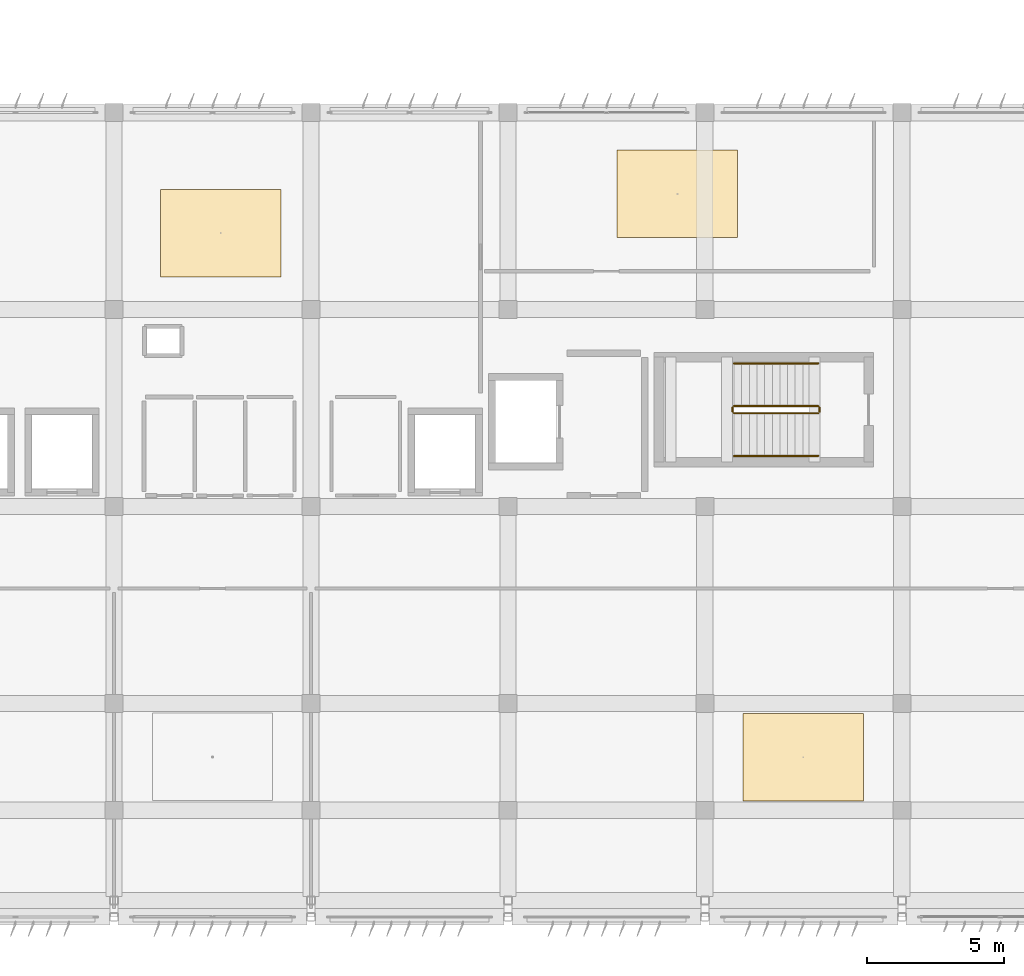
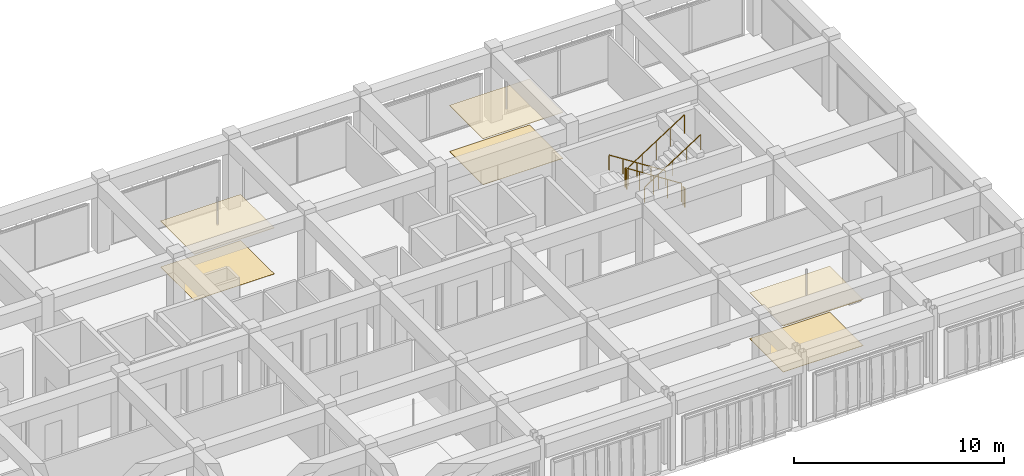
# One storey, part 52 of 53: 6 coverings, 6 railings.
"""IFC4 building model written with IfcOpenShell, lengths in metres."""

from ifc_helpers import new_model, si_unit, direction, frame, origin, origin_2d, place, context, subcontext, project, spatial, rectangle, circle, extrude, material, layer, layer_set, type_object, element, save


model = new_model("IFC4")

# Units and contexts
model_context = context("Model", 3, precision=1e-05, world=origin(), true_north=direction((0.0, 1.0)))
body_context = subcontext(model_context, "Body", "Model", "MODEL_VIEW")
ifc_project = project(units=[si_unit("LENGTHUNIT", "METRE"), si_unit("AREAUNIT", "SQUARE_METRE"), si_unit("VOLUMEUNIT", "CUBIC_METRE"), si_unit("PLANEANGLEUNIT", "RADIAN"), si_unit("MASSUNIT", "GRAM", prefix="KILO")], contexts=[model_context])

# Site, building, storey
site_placement = place(None, origin())
site = spatial("IfcSite", under=ifc_project, at=site_placement, CompositionType="ELEMENT")
building_placement = place(site_placement, origin())
building = spatial("IfcBuilding", under=site, at=building_placement, Name="Kazehaya Institute of Natural Sciences", CompositionType="ELEMENT")
storey_placement = place(building_placement, frame((0.0, 0.0, 33.300048828125)))
storey = spatial("IfcBuildingStorey", under=building, at=storey_placement, Name="L07", CompositionType="ELEMENT", Elevation=33.300048828125)

# Coverings
ifc_material_1 = material(Name="Mineral-fibre acoustic ceiling tile")
ifc_layer_1 = layer(ifc_material_1, 0.02490234375, Name="Mineral-fibre acoustic ceiling tile")
ifc_layer_set_1 = layer_set([ifc_layer_1], Name="Mineral-fibre acoustic ceiling tile")
covering_type_1 = type_object("IfcCoveringType", Name="COV-CEIL-AC", PredefinedType="CEILING", material=ifc_layer_set_1)
for number, where, z_axis, x_axis, name in (
    (1, (108.59228515625, 12.035888671875, 2.66748046875), (0.0, 0.0, 1.0), (1.0, 0.0, 0.0), "L07 Senior Fellow Write-up Office ceiling 66"),
    (2, (87.302001953125, 31.19580078125, 2.66748046875), (0.0, 0.0, 1.0), (1.0, 0.0, 0.0), "L07 Photochemistry Laboratory ceiling 67"),
    (3, (103.989990234375, 32.625, 2.66748046875), (0.0, 0.0, 1.0), (1.0, 0.0, 0.0), "L07 Shared NMR and Optical Instrument Suite ceiling 68"),
):
    element("IfcCovering", number, at=place(storey_placement, frame(where, z_axis=z_axis, x_axis=x_axis)), inside=storey, type_object=covering_type_1, Name=name, PredefinedType="CEILING", context=body_context, shape_type="SweptSolid", body=[
        extrude(rectangle(XDim=4.39990234375, YDim=3.199951171875, at=origin_2d()), origin(), (0.0, 0.0, 1.0), 0.02490234375),
    ])
ifc_material_2 = material(Name="Seamless chemical-resistant epoxy flooring")
ifc_layer_2 = layer(ifc_material_2, 0.014892578125, Name="Seamless chemical-resistant epoxy flooring")
ifc_layer_set_2 = layer_set([ifc_layer_2], Name="Seamless chemical-resistant epoxy flooring")
covering_type_2 = type_object("IfcCoveringType", Name="COV-FLR-EPX", PredefinedType="FLOORING", material=ifc_layer_set_2)
for number, where, z_axis, x_axis, name in (
    (4, (87.302001953125, 31.19580078125, 0.0), (0.0, 0.0, 1.0), (1.0, 0.0, 0.0), "L07 Photochemistry Laboratory finish flooring 67"),
    (5, (103.989990234375, 32.625, 0.0), (0.0, 0.0, 1.0), (1.0, 0.0, 0.0), "L07 Shared NMR and Optical Instrument Suite finish flooring 68"),
):
    element("IfcCovering", number, at=place(storey_placement, frame(where, z_axis=z_axis, x_axis=x_axis)), inside=storey, type_object=covering_type_2, Name=name, PredefinedType="FLOORING", context=body_context, shape_type="SweptSolid", body=[
        extrude(rectangle(XDim=4.39990234375, YDim=3.199951171875, at=origin_2d()), origin(), (0.0, 0.0, 1.0), 0.014892578125),
    ])
ifc_material_3 = material(Name="Polished Sawara stone terrazzo flooring", Category="masonry")
ifc_layer_3 = layer(ifc_material_3, 0.02001953125, Name="Polished Sawara stone terrazzo flooring", Category="masonry")
ifc_layer_set_3 = layer_set([ifc_layer_3], Name="Polished Sawara stone terrazzo flooring")
covering_type_3 = type_object("IfcCoveringType", Name="COV-FLR-TRZ", PredefinedType="FLOORING", material=ifc_layer_set_3)
covering_placement = place(storey_placement, frame((108.59228515625, 12.035888671875, 0.0), z_axis=(0.0, 0.0, 1.0), x_axis=(1.0, 0.0, 0.0)))
element("IfcCovering", 6, at=covering_placement, inside=storey, type_object=covering_type_3, Name="L07 Senior Fellow Write-up Office finish flooring 66", PredefinedType="FLOORING", context=body_context, shape_type="SweptSolid", body=[
    extrude(rectangle(XDim=4.39990234375, YDim=3.199951171875, at=origin_2d()), origin(), (0.0, 0.0, 1.0), 0.02001953125),
])

# Railings
ifc_material_4 = material(Name="Structural steel SN490B", Category="steel")
railing_type_1 = type_object("IfcRailingType", Name="RL-STAIR-GRD", PredefinedType="GUARDRAIL", material=ifc_material_4)
railing_1_placement = place(storey_placement, frame((109.139892578125, 24.8701171875, 0.179931640625)))
element("IfcRailing", 7, at=railing_1_placement, inside=storey, type_object=railing_type_1, Name="L07 ST-2 stair guard 1", PredefinedType="GUARDRAIL", context=body_context, shape_type="SweptSolid", body=[
    extrude(circle(Radius=0.02392578125, at=origin_2d()), frame((0.0, 0.0, 1.076171875), z_axis=(-0.841167642724, 0.0, 0.540774441735), x_axis=(0.0, -1.0, 0.0)), (0.0, 0.0, 1.0), 3.661376953125),
    extrude(circle(Radius=0.02099609375, at=origin_2d()), origin(), (0.0, 0.0, 1.0), 1.052001953125),
    extrude(circle(Radius=0.02099609375, at=origin_2d()), frame((-0.77001953125, 0.0, 0.4951171875)), (0.0, 0.0, 1.0), 1.052001953125),
    extrude(circle(Radius=0.02099609375, at=origin_2d()), frame((-1.5400390625, 0.0, 0.989990234375)), (0.0, 0.0, 1.0), 1.052001953125),
    extrude(circle(Radius=0.02099609375, at=origin_2d()), frame((-2.309814453125, 0.0, 1.48486328125)), (0.0, 0.0, 1.0), 1.052001953125),
    extrude(circle(Radius=0.02099609375, at=origin_2d()), frame((-3.079833984375, 0.0, 1.97998046875)), (0.0, 0.0, 1.0), 1.052001953125),
])
railing_2_placement = place(storey_placement, frame((106.010009765625, 24.820068359375, 2.159912109375)))
element("IfcRailing", 8, at=railing_2_placement, inside=storey, type_object=railing_type_1, Name="L07 ST-2 stair guard 2", PredefinedType="GUARDRAIL", context=body_context, shape_type="SweptSolid", body=[
    extrude(circle(Radius=0.02392578125, at=origin_2d()), frame((0.0, 0.0, 1.076171875), z_axis=(0.0, -1.0, 0.0), x_axis=(1.0, 0.0, 0.0)), (0.0, 0.0, 1.0), 0.16015625),
    extrude(circle(Radius=0.02099609375, at=origin_2d()), origin(), (0.0, 0.0, 1.0), 1.052001953125),
    extrude(circle(Radius=0.02099609375, at=origin_2d()), frame((0.0, -0.16015625, 0.0)), (0.0, 0.0, 1.0), 1.052001953125),
])
railing_3_placement = place(storey_placement, frame((106.06005859375, 24.610107421875, 2.33984375)))
element("IfcRailing", 9, at=railing_3_placement, inside=storey, type_object=railing_type_1, Name="L07 ST-2 stair guard 3", PredefinedType="GUARDRAIL", context=body_context, shape_type="SweptSolid", body=[
    extrude(circle(Radius=0.02392578125, at=origin_2d()), frame((0.0, 0.0, 1.076171875), z_axis=(0.841137310985, 0.0, 0.540821619453), x_axis=(0.0, 1.0, 0.0)), (0.0, 0.0, 1.0), 3.66162109375),
    extrude(circle(Radius=0.02099609375, at=origin_2d()), origin(), (0.0, 0.0, 1.0), 1.052001953125),
    extrude(circle(Radius=0.02099609375, at=origin_2d()), frame((0.77001953125, 0.0, 0.4951171875)), (0.0, 0.0, 1.0), 1.052001953125),
    extrude(circle(Radius=0.02099609375, at=origin_2d()), frame((1.5400390625, 0.0, 0.990234375)), (0.0, 0.0, 1.0), 1.052001953125),
    extrude(circle(Radius=0.02099609375, at=origin_2d()), frame((2.309814453125, 0.0, 1.485107421875)), (0.0, 0.0, 1.0), 1.052001953125),
    extrude(circle(Radius=0.02099609375, at=origin_2d()), frame((3.079833984375, 0.0, 1.980224609375)), (0.0, 0.0, 1.0), 1.052001953125),
])
railing_4_placement = place(storey_placement, frame((109.18994140625, 24.820068359375, 0.0)))
element("IfcRailing", 10, at=railing_4_placement, inside=storey, type_object=railing_type_1, Name="L07 ST-2 stair guard 4", PredefinedType="GUARDRAIL", context=body_context, shape_type="SweptSolid", body=[
    extrude(circle(Radius=0.02392578125, at=origin_2d()), frame((0.0, 0.0, 1.076171875), z_axis=(0.0, -1.0, 0.0), x_axis=(1.0, 0.0, 0.0)), (0.0, 0.0, 1.0), 0.16015625),
    extrude(circle(Radius=0.02099609375, at=origin_2d()), origin(), (0.0, 0.0, 1.0), 1.052001953125),
    extrude(circle(Radius=0.02099609375, at=origin_2d()), frame((0.0, -0.16015625, 0.0)), (0.0, 0.0, 1.0), 1.052001953125),
])
ifc_material_5 = material(Name="Brushed stainless steel handrail", Category="steel")
railing_type_2 = type_object("IfcRailingType", Name="RL-STAIR-HND", PredefinedType="HANDRAIL", material=ifc_material_5)
railing_5_placement = place(storey_placement, frame((109.139892578125, 26.429931640625, 0.179931640625)))
element("IfcRailing", 11, at=railing_5_placement, inside=storey, type_object=railing_type_2, Name="L07 ST-2 stair handrail 1", PredefinedType="HANDRAIL", context=body_context, shape_type="SweptSolid", body=[
    extrude(circle(Radius=0.02392578125, at=origin_2d()), frame((0.0, 0.0, 0.8759765625), z_axis=(-0.841167642724, 0.0, 0.540774441735), x_axis=(0.0, -1.0, 0.0)), (0.0, 0.0, 1.0), 3.661376953125),
    extrude(circle(Radius=0.02099609375, at=origin_2d()), origin(), (0.0, 0.0, 1.0), 0.851806640625),
    extrude(circle(Radius=0.02099609375, at=origin_2d()), frame((-0.77001953125, 0.0, 0.4951171875)), (0.0, 0.0, 1.0), 0.851806640625),
    extrude(circle(Radius=0.02099609375, at=origin_2d()), frame((-1.5400390625, 0.0, 0.989990234375)), (0.0, 0.0, 1.0), 0.851806640625),
    extrude(circle(Radius=0.02099609375, at=origin_2d()), frame((-2.309814453125, 0.0, 1.48486328125)), (0.0, 0.0, 1.0), 0.851806640625),
    extrude(circle(Radius=0.02099609375, at=origin_2d()), frame((-3.079833984375, 0.0, 1.97998046875)), (0.0, 0.0, 1.0), 0.851806640625),
])
railing_6_placement = place(storey_placement, frame((106.06005859375, 23.050048828125, 2.33984375)))
element("IfcRailing", 12, at=railing_6_placement, inside=storey, type_object=railing_type_2, Name="L07 ST-2 stair handrail 2", PredefinedType="HANDRAIL", context=body_context, shape_type="SweptSolid", body=[
    extrude(circle(Radius=0.02392578125, at=origin_2d()), frame((0.0, 0.0, 0.8759765625), z_axis=(0.841137310985, 0.0, 0.540821619453), x_axis=(0.0, 1.0, 0.0)), (0.0, 0.0, 1.0), 3.66162109375),
    extrude(circle(Radius=0.02099609375, at=origin_2d()), origin(), (0.0, 0.0, 1.0), 0.851806640625),
    extrude(circle(Radius=0.02099609375, at=origin_2d()), frame((0.77001953125, 0.0, 0.4951171875)), (0.0, 0.0, 1.0), 0.851806640625),
    extrude(circle(Radius=0.02099609375, at=origin_2d()), frame((1.5400390625, 0.0, 0.990234375)), (0.0, 0.0, 1.0), 0.851806640625),
    extrude(circle(Radius=0.02099609375, at=origin_2d()), frame((2.309814453125, 0.0, 1.485107421875)), (0.0, 0.0, 1.0), 0.851806640625),
    extrude(circle(Radius=0.02099609375, at=origin_2d()), frame((3.079833984375, 0.0, 1.980224609375)), (0.0, 0.0, 1.0), 0.851806640625),
])

save(model, "model.ifc")
